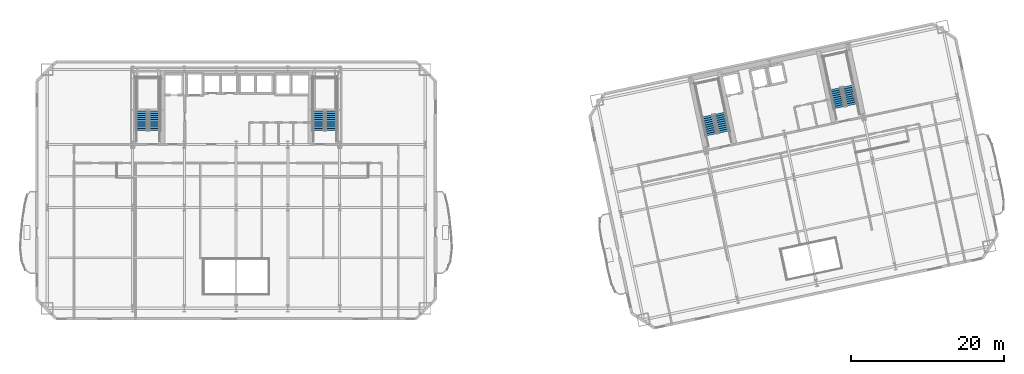
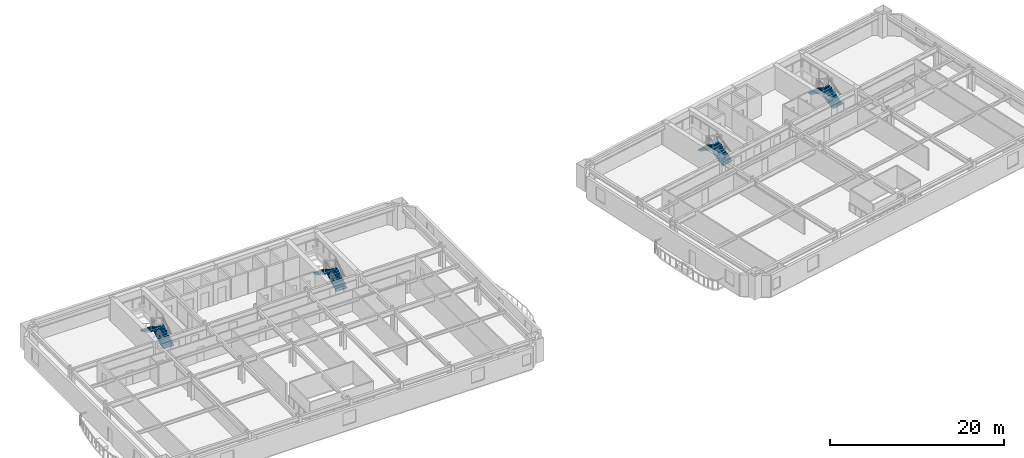
# One storey, part 10 of 15: 8 stair flights, 4 elements without a shape of their own.
"""IFC4 building model written with IfcOpenShell, lengths in metres."""

from ifc_helpers import new_model, si_unit, direction, frame, origin, place, context, subcontext, project, spatial, polyline, outline, extrude, material, type_object, element, aggregate, save


model = new_model("IFC4")

# Units and contexts
model_context = context("Model", 3, precision=1e-05, world=origin(), true_north=direction((0.0, 1.0)))
body_context = subcontext(model_context, "Body", "Model", "MODEL_VIEW")
ifc_project = project(units=[si_unit("LENGTHUNIT", "METRE"), si_unit("AREAUNIT", "SQUARE_METRE"), si_unit("VOLUMEUNIT", "CUBIC_METRE"), si_unit("PLANEANGLEUNIT", "RADIAN"), si_unit("MASSUNIT", "GRAM", prefix="KILO")], contexts=[model_context])

# Site, building, storey
site_placement = place(None, origin())
site = spatial("IfcSite", under=ifc_project, at=site_placement, CompositionType="ELEMENT")
building_placement = place(site_placement, origin())
building = spatial("IfcBuilding", under=site, at=building_placement, Name="Haevon Station Towers", CompositionType="ELEMENT")
storey_placement = place(building_placement, frame((0.0, 0.0, 63.60009765625)))
storey = spatial("IfcBuildingStorey", under=building, at=storey_placement, Name="L16", CompositionType="ELEMENT", Elevation=63.60009765625)

# Stair, stair flights
ifc_material = material(Name="Concrete C40/50", Category="concrete")
stair_type = type_object("IfcStairType", Name="STR-DL1450", PredefinedType="USERDEFINED", material=ifc_material)
stair_1_placement = place(storey_placement, origin())
stair_1 = element("IfcStair", 1, at=stair_1_placement, inside=storey, type_object=stair_type, Name="L16 Escape Stair ST1", ObjectType="TWO_RETURN_STAIR", PredefinedType="USERDEFINED")
stair_flight_type = type_object("IfcStairFlightType", Name="STF-ST1450", PredefinedType="STRAIGHT", material=ifc_material)
stair_flight_1_placement = place(storey_placement, frame((26.85498046875, 40.050048828125, 0.0), z_axis=(0.0, 0.0, 1.0), x_axis=(0.0, 1.0, 0.0)))
stair_flight_1 = element("IfcStairFlight", 2, at=stair_flight_1_placement, type_object=stair_flight_type, Name="L16 ST1 Flight 1", NumberOfRisers=10, NumberOfTreads=9, PredefinedType="STRAIGHT", RiserHeight=0.165, TreadLength=0.28, context=body_context, shape_type="SweptSolid", body=[
    extrude(outline(polyline([(0.0, 0.0), (0.0, 0.1650390625), (0.280029296875, 0.1650390625), (0.280029296875, 0.330078125), (0.56005859375, 0.330078125), (0.56005859375, 0.4951171875), (0.840087890625, 0.4951171875), (0.840087890625, 0.659912109375), (1.1201171875, 0.659912109375), (1.1201171875, 0.824951171875), (1.39990234375, 0.824951171875), (1.39990234375, 0.989990234375), (1.679931640625, 0.989990234375), (1.679931640625, 1.155029296875), (1.9599609375, 1.155029296875), (1.9599609375, 1.320068359375), (2.239990234375, 1.320068359375), (2.239990234375, 1.485107421875), (2.52001953125, 1.485107421875), (2.52001953125, 1.64990234375), (2.52001953125, 1.29931640625), (0.31494140625, 0.0), (0.0, 0.0)])), frame((0.0, 0.72509765625, 0.0), z_axis=(0.0, -1.0, 0.0), x_axis=(1.0, 0.0, 0.0)), (0.0, 0.0, 1.0), 1.449951171875),
])
stair_flight_2_placement = place(storey_placement, frame((25.205078125, 42.570068359375, 1.64990234375), z_axis=(0.0, 0.0, 1.0), x_axis=(0.0, -1.0, 0.0)))
stair_flight_2 = element("IfcStairFlight", 3, at=stair_flight_2_placement, type_object=stair_flight_type, Name="L16 ST1 Flight 2", NumberOfRisers=10, NumberOfTreads=9, PredefinedType="STRAIGHT", RiserHeight=0.165, TreadLength=0.28, context=body_context, shape_type="SweptSolid", body=[
    extrude(outline(polyline([(0.0, 0.0), (0.0, 0.1650390625), (0.280029296875, 0.1650390625), (0.280029296875, 0.330078125), (0.56005859375, 0.330078125), (0.56005859375, 0.4951171875), (0.840087890625, 0.4951171875), (0.840087890625, 0.659912109375), (1.1201171875, 0.659912109375), (1.1201171875, 0.824951171875), (1.39990234375, 0.824951171875), (1.39990234375, 0.989990234375), (1.679931640625, 0.989990234375), (1.679931640625, 1.155029296875), (1.9599609375, 1.155029296875), (1.9599609375, 1.320068359375), (2.239990234375, 1.320068359375), (2.239990234375, 1.485107421875), (2.52001953125, 1.485107421875), (2.52001953125, 1.64990234375), (2.52001953125, 1.29931640625), (0.31494140625, 0.0), (0.0, 0.0)])), frame((0.0, 0.72509765625, 0.0), z_axis=(0.0, -1.0, 0.0), x_axis=(1.0, 0.0, 0.0)), (0.0, 0.0, 1.0), 1.449951171875),
])
aggregate(stair_1, [stair_flight_1, stair_flight_2])

stair_2_placement = place(storey_placement, origin())
stair_2 = element("IfcStair", 4, at=stair_2_placement, inside=storey, type_object=stair_type, Name="L16 Escape Stair ST2", ObjectType="TWO_RETURN_STAIR", PredefinedType="USERDEFINED")
stair_flight_3_placement = place(storey_placement, frame((49.89501953125, 40.050048828125, 0.0), z_axis=(0.0, 0.0, 1.0), x_axis=(0.0, 1.0, 0.0)))
stair_flight_3 = element("IfcStairFlight", 5, at=stair_flight_3_placement, type_object=stair_flight_type, Name="L16 ST2 Flight 1", NumberOfRisers=10, NumberOfTreads=9, PredefinedType="STRAIGHT", RiserHeight=0.165, TreadLength=0.28, context=body_context, shape_type="SweptSolid", body=[
    extrude(outline(polyline([(0.0, 0.0), (0.0, 0.1650390625), (0.280029296875, 0.1650390625), (0.280029296875, 0.330078125), (0.56005859375, 0.330078125), (0.56005859375, 0.4951171875), (0.840087890625, 0.4951171875), (0.840087890625, 0.659912109375), (1.1201171875, 0.659912109375), (1.1201171875, 0.824951171875), (1.39990234375, 0.824951171875), (1.39990234375, 0.989990234375), (1.679931640625, 0.989990234375), (1.679931640625, 1.155029296875), (1.9599609375, 1.155029296875), (1.9599609375, 1.320068359375), (2.239990234375, 1.320068359375), (2.239990234375, 1.485107421875), (2.52001953125, 1.485107421875), (2.52001953125, 1.64990234375), (2.52001953125, 1.29931640625), (0.31494140625, 0.0), (0.0, 0.0)])), frame((0.0, 0.72509765625, 0.0), z_axis=(0.0, -1.0, 0.0), x_axis=(1.0, 0.0, 0.0)), (0.0, 0.0, 1.0), 1.449951171875),
])
stair_flight_4_placement = place(storey_placement, frame((48.2451171875, 42.570068359375, 1.64990234375), z_axis=(0.0, 0.0, 1.0), x_axis=(0.0, -1.0, 0.0)))
stair_flight_4 = element("IfcStairFlight", 6, at=stair_flight_4_placement, type_object=stair_flight_type, Name="L16 ST2 Flight 2", NumberOfRisers=10, NumberOfTreads=9, PredefinedType="STRAIGHT", RiserHeight=0.165, TreadLength=0.28, context=body_context, shape_type="SweptSolid", body=[
    extrude(outline(polyline([(0.0, 0.0), (0.0, 0.1650390625), (0.280029296875, 0.1650390625), (0.280029296875, 0.330078125), (0.56005859375, 0.330078125), (0.56005859375, 0.4951171875), (0.840087890625, 0.4951171875), (0.840087890625, 0.659912109375), (1.1201171875, 0.659912109375), (1.1201171875, 0.824951171875), (1.39990234375, 0.824951171875), (1.39990234375, 0.989990234375), (1.679931640625, 0.989990234375), (1.679931640625, 1.155029296875), (1.9599609375, 1.155029296875), (1.9599609375, 1.320068359375), (2.239990234375, 1.320068359375), (2.239990234375, 1.485107421875), (2.52001953125, 1.485107421875), (2.52001953125, 1.64990234375), (2.52001953125, 1.29931640625), (0.31494140625, 0.0), (0.0, 0.0)])), frame((0.0, 0.72509765625, 0.0), z_axis=(0.0, -1.0, 0.0), x_axis=(1.0, 0.0, 0.0)), (0.0, 0.0, 1.0), 1.449951171875),
])
aggregate(stair_2, [stair_flight_3, stair_flight_4])

stair_3_placement = place(storey_placement, origin())
stair_3 = element("IfcStair", 7, at=stair_3_placement, inside=storey, type_object=stair_type, Name="L16 Escape Stair ST3", ObjectType="TWO_RETURN_STAIR", PredefinedType="USERDEFINED")
stair_flight_5_placement = place(storey_placement, frame((101.1015625, 39.8330078125, 0.0), z_axis=(0.0, 0.0, 1.0), x_axis=(-0.207911690818, 0.978147600734, 0.0)))
stair_flight_5 = element("IfcStairFlight", 8, at=stair_flight_5_placement, type_object=stair_flight_type, Name="L16 ST3 Flight 1", NumberOfRisers=10, NumberOfTreads=9, PredefinedType="STRAIGHT", RiserHeight=0.165, TreadLength=0.28, context=body_context, shape_type="SweptSolid", body=[
    extrude(outline(polyline([(0.0, 0.0), (0.0, 0.1650390625), (0.280029296875, 0.1650390625), (0.280029296875, 0.330078125), (0.56005859375, 0.330078125), (0.56005859375, 0.4951171875), (0.840087890625, 0.4951171875), (0.840087890625, 0.659912109375), (1.1201171875, 0.659912109375), (1.1201171875, 0.824951171875), (1.39990234375, 0.824951171875), (1.39990234375, 0.989990234375), (1.679931640625, 0.989990234375), (1.679931640625, 1.155029296875), (1.9599609375, 1.155029296875), (1.9599609375, 1.320068359375), (2.239990234375, 1.320068359375), (2.239990234375, 1.485107421875), (2.52001953125, 1.485107421875), (2.52001953125, 1.64990234375), (2.52001953125, 1.29931640625), (0.31494140625, 0.0), (0.0, 0.0)])), frame((0.0, 0.72509765625, 0.0), z_axis=(0.0, -1.0, 0.0), x_axis=(1.0, 0.0, 0.0)), (0.0, 0.0, 1.0), 1.449951171875),
])
stair_flight_6_placement = place(storey_placement, frame((98.9638671875, 41.955078125, 1.64990234375), z_axis=(0.0, 0.0, 1.0), x_axis=(0.207911690818, -0.978147600734, 0.0)))
stair_flight_6 = element("IfcStairFlight", 9, at=stair_flight_6_placement, type_object=stair_flight_type, Name="L16 ST3 Flight 2", NumberOfRisers=10, NumberOfTreads=9, PredefinedType="STRAIGHT", RiserHeight=0.165, TreadLength=0.28, context=body_context, shape_type="SweptSolid", body=[
    extrude(outline(polyline([(0.0, 0.0), (0.0, 0.1650390625), (0.280029296875, 0.1650390625), (0.280029296875, 0.330078125), (0.56005859375, 0.330078125), (0.56005859375, 0.4951171875), (0.840087890625, 0.4951171875), (0.840087890625, 0.659912109375), (1.1201171875, 0.659912109375), (1.1201171875, 0.824951171875), (1.39990234375, 0.824951171875), (1.39990234375, 0.989990234375), (1.679931640625, 0.989990234375), (1.679931640625, 1.155029296875), (1.9599609375, 1.155029296875), (1.9599609375, 1.320068359375), (2.239990234375, 1.320068359375), (2.239990234375, 1.485107421875), (2.52001953125, 1.485107421875), (2.52001953125, 1.64990234375), (2.52001953125, 1.29931640625), (0.31494140625, 0.0), (0.0, 0.0)])), frame((0.0, 0.72509765625, 0.0), z_axis=(0.0, -1.0, 0.0), x_axis=(1.0, 0.0, 0.0)), (0.0, 0.0, 1.0), 1.449951171875),
])
aggregate(stair_3, [stair_flight_5, stair_flight_6])

stair_4_placement = place(storey_placement, origin())
stair_4 = element("IfcStair", 10, at=stair_4_placement, inside=storey, type_object=stair_type, Name="L16 Escape Stair ST4", ObjectType="TWO_RETURN_STAIR", PredefinedType="USERDEFINED")
stair_flight_7_placement = place(storey_placement, frame((117.788818359375, 43.380126953125, 0.0), z_axis=(0.0, 0.0, 1.0), x_axis=(-0.207911690818, 0.978147600734, 0.0)))
stair_flight_7 = element("IfcStairFlight", 11, at=stair_flight_7_placement, type_object=stair_flight_type, Name="L16 ST4 Flight 1", NumberOfRisers=10, NumberOfTreads=9, PredefinedType="STRAIGHT", RiserHeight=0.165, TreadLength=0.28, context=body_context, shape_type="SweptSolid", body=[
    extrude(outline(polyline([(0.0, 0.0), (0.0, 0.1650390625), (0.280029296875, 0.1650390625), (0.280029296875, 0.330078125), (0.56005859375, 0.330078125), (0.56005859375, 0.4951171875), (0.840087890625, 0.4951171875), (0.840087890625, 0.659912109375), (1.1201171875, 0.659912109375), (1.1201171875, 0.824951171875), (1.39990234375, 0.824951171875), (1.39990234375, 0.989990234375), (1.679931640625, 0.989990234375), (1.679931640625, 1.155029296875), (1.9599609375, 1.155029296875), (1.9599609375, 1.320068359375), (2.239990234375, 1.320068359375), (2.239990234375, 1.485107421875), (2.52001953125, 1.485107421875), (2.52001953125, 1.64990234375), (2.52001953125, 1.29931640625), (0.31494140625, 0.0), (0.0, 0.0)])), frame((0.0, 0.72509765625, 0.0), z_axis=(0.0, -1.0, 0.0), x_axis=(1.0, 0.0, 0.0)), (0.0, 0.0, 1.0), 1.449951171875),
])
stair_flight_8_placement = place(storey_placement, frame((115.65087890625, 45.501953125, 1.64990234375), z_axis=(0.0, 0.0, 1.0), x_axis=(0.207911690818, -0.978147600734, 0.0)))
stair_flight_8 = element("IfcStairFlight", 12, at=stair_flight_8_placement, type_object=stair_flight_type, Name="L16 ST4 Flight 2", NumberOfRisers=10, NumberOfTreads=9, PredefinedType="STRAIGHT", RiserHeight=0.165, TreadLength=0.28, context=body_context, shape_type="SweptSolid", body=[
    extrude(outline(polyline([(0.0, 0.0), (0.0, 0.1650390625), (0.280029296875, 0.1650390625), (0.280029296875, 0.330078125), (0.56005859375, 0.330078125), (0.56005859375, 0.4951171875), (0.840087890625, 0.4951171875), (0.840087890625, 0.659912109375), (1.1201171875, 0.659912109375), (1.1201171875, 0.824951171875), (1.39990234375, 0.824951171875), (1.39990234375, 0.989990234375), (1.679931640625, 0.989990234375), (1.679931640625, 1.155029296875), (1.9599609375, 1.155029296875), (1.9599609375, 1.320068359375), (2.239990234375, 1.320068359375), (2.239990234375, 1.485107421875), (2.52001953125, 1.485107421875), (2.52001953125, 1.64990234375), (2.52001953125, 1.29931640625), (0.31494140625, 0.0), (0.0, 0.0)])), frame((0.0, 0.72509765625, 0.0), z_axis=(0.0, -1.0, 0.0), x_axis=(1.0, 0.0, 0.0)), (0.0, 0.0, 1.0), 1.449951171875),
])
aggregate(stair_4, [stair_flight_7, stair_flight_8])

save(model, "model.ifc")
